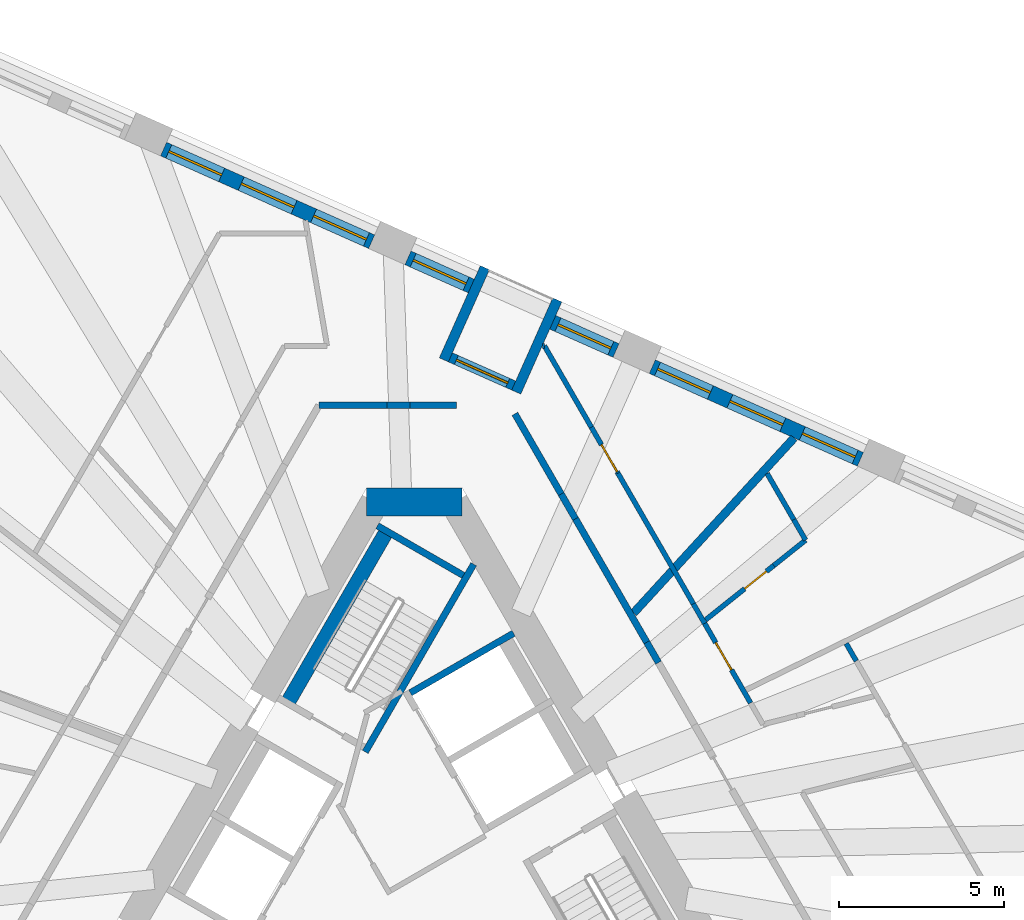
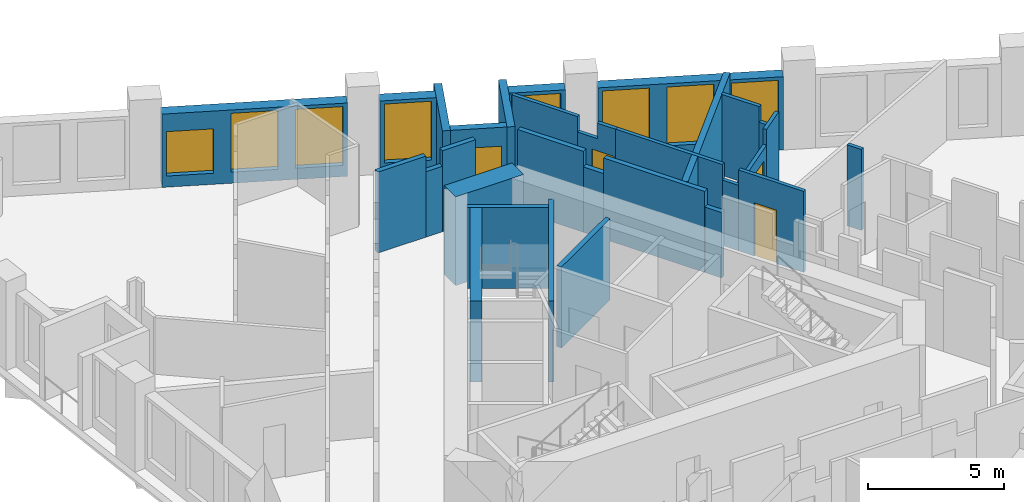
# One storey, part 8 of 14: 31 walls, 8 windows, 4 doors, 12 openings.
"""IFC4 building model written with IfcOpenShell, lengths in metres."""

from ifc_helpers import new_model, si_unit, direction, frame, frame_2d, origin, place, context, subcontext, project, spatial, polyline, rectangle, outline, extrude, material, layer, layer_set, type_object, element, fill, save


model = new_model("IFC4")

# Units and contexts
model_context = context("Model", 3, precision=1e-05, world=origin(), true_north=direction((0.0, 1.0)))
body_context = subcontext(model_context, "Body", "Model", "MODEL_VIEW")
ifc_project = project(units=[si_unit("LENGTHUNIT", "METRE"), si_unit("AREAUNIT", "SQUARE_METRE"), si_unit("VOLUMEUNIT", "CUBIC_METRE"), si_unit("PLANEANGLEUNIT", "RADIAN"), si_unit("MASSUNIT", "GRAM", prefix="KILO")], contexts=[model_context])

# Site, building, storey
site_placement = place(None, origin())
site = spatial("IfcSite", under=ifc_project, at=site_placement, CompositionType="ELEMENT")
building_placement = place(site_placement, origin())
building = spatial("IfcBuilding", under=site, at=building_placement, Name="Tramontana Tower", CompositionType="ELEMENT")
storey_placement = place(building_placement, frame((0.0, 0.0, 186.800048828125)))
storey = spatial("IfcBuildingStorey", under=building, at=storey_placement, Name="L43", CompositionType="ELEMENT", Elevation=186.800048828125)

# Walls
ifc_material_1 = material(Name="Concrete 70 MPa", Category="concrete")
ifc_layer_1 = layer(ifc_material_1, 0.85009765625)
ifc_layer_set_1 = layer_set([ifc_layer_1], Name="Core wall 850 70 MPa")
wall_type_1 = type_object("IfcWallType", Name="Core wall 850 70 MPa", PredefinedType="SHEAR", material=ifc_layer_set_1)
wall_1_placement = place(storey_placement, frame((1.443359375, 10.574951171875, 0.0), z_axis=(0.0, 0.0, 1.0), x_axis=(-1.0, 0.0, 0.0)))
element("IfcWall", 1, at=wall_1_placement, inside=storey, type_object=wall_type_1, Name="Core wall C0 L43", PredefinedType="SHEAR", context=body_context, shape_type="SweptSolid", body=[
    extrude(rectangle(XDim=2.88671875, YDim=0.85009765625, at=frame_2d((1.443359375, 0.0))), origin(), (0.0, 0.0, 1.0), 4.0),
])
ifc_material_2 = material(Name="Blockwork", Category="masonry")
ifc_layer_2 = layer(ifc_material_2, 0.199951171875)
ifc_layer_set_2 = layer_set([ifc_layer_2], Name="ENTRY WALL 200")
wall_type_2 = type_object("IfcWallType", Name="ENTRY WALL 200", PredefinedType="SOLIDWALL", material=ifc_layer_set_2)
wall_2_placement = place(storey_placement, frame((3.034912109375, 13.243408203125, 0.0), z_axis=(0.0, 0.0, 1.0), x_axis=(0.499976698542, -0.86603885647, 0.0)))
element("IfcWall", 2, at=wall_2_placement, inside=storey, type_object=wall_type_2, Name="Wall v42-ew0-0", PredefinedType="SOLIDWALL", context=body_context, shape_type="SweptSolid", body=[
    extrude(rectangle(XDim=2.798583984375, YDim=0.199951171875, at=frame_2d((1.3994140625, 0.0))), origin(), (0.0, 0.0, 1.0), 3.64990234375),
])
wall_3_placement = place(storey_placement, frame((4.43408203125, 10.81982421875, 0.0), z_axis=(0.0, 0.0, 1.0), x_axis=(0.500023708017, -0.866011715522, 0.0)))
element("IfcWall", 3, at=wall_3_placement, inside=storey, type_object=wall_type_2, Name="Wall v42-ew0-1", PredefinedType="SOLIDWALL", context=body_context, shape_type="SweptSolid", body=[
    extrude(rectangle(XDim=0.865234375, YDim=0.199951171875, at=frame_2d((0.4326171875, 0.0))), origin(), (0.0, 0.0, 1.0), 2.949951171875),
])
wall_4_placement = place(storey_placement, frame((4.86669921875, 10.070556640625, 0.0), z_axis=(0.0, 0.0, 1.0), x_axis=(0.499992344383, -0.866029823712, 0.0)))
element("IfcWall", 4, at=wall_4_placement, inside=storey, type_object=wall_type_2, Name="Wall v42-ew0-2", PredefinedType="SOLIDWALL", context=body_context, shape_type="SweptSolid", body=[
    extrude(rectangle(XDim=4.306640625, YDim=0.199951171875, at=frame_2d((2.1533203125, 0.0))), origin(), (0.0, 0.0, 1.0), 3.64990234375),
])
wall_5_placement = place(storey_placement, frame((7.02001953125, 6.3408203125, 0.0), z_axis=(0.0, 0.0, 1.0), x_axis=(0.50012879774, -0.865951029603, 0.0)))
element("IfcWall", 5, at=wall_5_placement, inside=storey, type_object=wall_type_2, Name="Wall v42-ew0-3", PredefinedType="SOLIDWALL", context=body_context, shape_type="SweptSolid", body=[
    extrude(rectangle(XDim=0.710693359375, YDim=0.199951171875, at=frame_2d((0.35546875, 0.0))), origin(), (0.0, 0.0, 1.0), 2.949951171875),
])
wall_6_placement = place(storey_placement, frame((-2.88671875, 13.5, 0.0), z_axis=(0.0, 0.0, 1.0), x_axis=(1.0, 0.0, 0.0)))
element("IfcWall", 6, at=wall_6_placement, inside=storey, type_object=wall_type_2, Name="Wall v42-ew5-0", PredefinedType="SOLIDWALL", context=body_context, shape_type="SweptSolid", body=[
    extrude(rectangle(XDim=2.057861328125, YDim=0.199951171875, at=frame_2d((1.02880859375, 0.0))), origin(), (0.0, 0.0, 1.0), 3.64990234375),
])
wall_7_placement = place(storey_placement, frame((-0.828857421875, 13.5, 0.0), z_axis=(0.0, 0.0, 1.0), x_axis=(1.0, 0.0, 0.0)))
element("IfcWall", 7, at=wall_7_placement, inside=storey, type_object=wall_type_2, Name="Wall v42-ew5-1", PredefinedType="SOLIDWALL", context=body_context, shape_type="SweptSolid", body=[
    extrude(rectangle(XDim=0.700439453125, YDim=0.199951171875, at=frame_2d((0.35009765625, 0.0))), origin(), (0.0, 0.0, 1.0), 2.949951171875),
])
wall_8_placement = place(storey_placement, frame((-0.12841796875, 13.5, 0.0), z_axis=(0.0, 0.0, 1.0), x_axis=(1.0, 0.0, 0.0)))
element("IfcWall", 8, at=wall_8_placement, inside=storey, type_object=wall_type_2, Name="Wall v42-ew5-2", PredefinedType="SOLIDWALL", context=body_context, shape_type="SweptSolid", body=[
    extrude(rectangle(XDim=1.39990234375, YDim=0.199951171875, at=frame_2d((0.699951171875, 0.0))), origin(), (0.0, 0.0, 1.0), 3.64990234375),
])

# Wall, openings, windows
ifc_material_3 = material(Name="Precast concrete 60 MPa", Category="concrete")
ifc_layer_3 = layer(ifc_material_3, 0.449951171875)
ifc_layer_set_3 = layer_set([ifc_layer_3], Name="Precast concrete 60 MPa, 450 mm")
wall_type_3 = type_object("IfcWallType", Name="EW1 Stone-faced precast wall 450", PredefinedType="SOLIDWALL", material=ifc_layer_set_3)
wall_9_placement = place(storey_placement, frame((13.475830078125, 11.8701171875, 0.0), z_axis=(0.0, 0.0, 1.0), x_axis=(-0.913543675585, 0.40674064562, 0.0)))
wall_9 = element("IfcWall", 9, at=wall_9_placement, inside=storey, type_object=wall_type_3, Name="External wall L43 face 2 bay 3", PredefinedType="SOLIDWALL", context=body_context, shape_type="SweptSolid", body=[
    extrude(rectangle(XDim=6.8828125, YDim=0.449951171875, at=frame_2d((3.44140625, 0.0))), origin(), (0.0, 0.0, 1.0), 3.300048828125),
])
opening_1_placement = place(wall_9_placement, frame((0.172119140625, 0.0, 0.5)))
opening_1 = element("IfcOpeningElement", 10, at=opening_1_placement, cuts=wall_9, Name="Opening M2", PredefinedType="OPENING", context=body_context, shape_type="SweptSolid", body=[
    extrude(rectangle(XDim=1.75, YDim=2.64990234375, at=frame_2d((0.875, 1.324951171875))), frame((0.0, 0.23486328125, 0.0), z_axis=(0.0, -1.0, 0.0), x_axis=(1.0, 0.0, 0.0)), (0.0, 0.0, 1.0), 0.469970703125),
])
opening_2_placement = place(wall_9_placement, frame((2.56640625, 0.0, 0.5)))
opening_2 = element("IfcOpeningElement", 11, at=opening_2_placement, cuts=wall_9, Name="Opening M2", PredefinedType="OPENING", context=body_context, shape_type="SweptSolid", body=[
    extrude(rectangle(XDim=1.75, YDim=2.64990234375, at=frame_2d((0.875, 1.324951171875))), frame((0.0, 0.23486328125, 0.0), z_axis=(0.0, -1.0, 0.0), x_axis=(1.0, 0.0, 0.0)), (0.0, 0.0, 1.0), 0.469970703125),
])
opening_3_placement = place(wall_9_placement, frame((4.960693359375, 0.0, 0.5)))
opening_3 = element("IfcOpeningElement", 12, at=opening_3_placement, cuts=wall_9, Name="Opening M2", PredefinedType="OPENING", context=body_context, shape_type="SweptSolid", body=[
    extrude(rectangle(XDim=1.75, YDim=2.64990234375, at=frame_2d((0.875, 1.324951171875))), frame((0.0, 0.23486328125, 0.0), z_axis=(0.0, -1.0, 0.0), x_axis=(1.0, 0.0, 0.0)), (0.0, 0.0, 1.0), 0.469970703125),
])
ifc_material_4 = material(Name="Aluminum frame, double glazing unit", Category="aluminium")
window_type_1 = type_object("IfcWindowType", Name="M2 Window 1.75 x 2.65", PartitioningType="SINGLE_PANEL", PredefinedType="WINDOW", material=ifc_material_4)
window_1_placement = place(opening_1_placement, origin())
window_1 = element("IfcWindow", 13, at=window_1_placement, inside=storey, type_object=window_type_1, Name="Window M2 L43 face 2 module 7", OverallHeight=2.64990234375, OverallWidth=1.75, PartitioningType="SINGLE_PANEL", PredefinedType="WINDOW", context=body_context, shape_type="SweptSolid", body=[
    extrude(rectangle(XDim=1.75, YDim=2.64990234375, at=frame_2d((0.875, 1.324951171875))), frame((0.0, 0.030029296875, 0.0), z_axis=(0.0, -1.0, 0.0), x_axis=(1.0, 0.0, 0.0)), (0.0, 0.0, 1.0), 0.06005859375),
])
fill(opening_1, window_1)
window_2_placement = place(opening_2_placement, origin())
window_2 = element("IfcWindow", 14, at=window_2_placement, inside=storey, type_object=window_type_1, Name="Window M2 L43 face 2 module 8", OverallHeight=2.64990234375, OverallWidth=1.75, PartitioningType="SINGLE_PANEL", PredefinedType="WINDOW", context=body_context, shape_type="SweptSolid", body=[
    extrude(rectangle(XDim=1.75, YDim=2.64990234375, at=frame_2d((0.875, 1.324951171875))), frame((0.0, 0.030029296875, 0.0), z_axis=(0.0, -1.0, 0.0), x_axis=(1.0, 0.0, 0.0)), (0.0, 0.0, 1.0), 0.06005859375),
])
fill(opening_2, window_2)
window_3_placement = place(opening_3_placement, origin())
window_3 = element("IfcWindow", 15, at=window_3_placement, inside=storey, type_object=window_type_1, Name="Window M2 L43 face 2 module 9", OverallHeight=2.64990234375, OverallWidth=1.75, PartitioningType="SINGLE_PANEL", PredefinedType="WINDOW", context=body_context, shape_type="SweptSolid", body=[
    extrude(rectangle(XDim=1.75, YDim=2.64990234375, at=frame_2d((0.875, 1.324951171875))), frame((0.0, 0.030029296875, 0.0), z_axis=(0.0, -1.0, 0.0), x_axis=(1.0, 0.0, 0.0)), (0.0, 0.0, 1.0), 0.06005859375),
])
fill(opening_3, window_3)

# Wall, opening, window
wall_10_placement = place(storey_placement, frame((6.091796875, 15.15771484375, 0.0), z_axis=(0.0, 0.0, 1.0), x_axis=(-0.913537312596, 0.406754936657, 0.0)))
wall_10 = element("IfcWall", 16, at=wall_10_placement, inside=storey, type_object=wall_type_3, Name="External wall L43 face 2 bay 4", PredefinedType="SOLIDWALL", context=body_context, shape_type="SweptSolid", body=[
    extrude(rectangle(XDim=2.09423828125, YDim=0.449951171875, at=frame_2d((1.047119140625, 0.0))), origin(), (0.0, 0.0, 1.0), 3.300048828125),
])
opening_4_placement = place(wall_10_placement, frame((0.172119140625, 0.0, 0.5)))
opening_4 = element("IfcOpeningElement", 17, at=opening_4_placement, cuts=wall_10, Name="Opening M2", PredefinedType="OPENING", context=body_context, shape_type="SweptSolid", body=[
    extrude(rectangle(XDim=1.75, YDim=2.64990234375, at=frame_2d((0.875, 1.324951171875))), frame((0.0, 0.23486328125, 0.0), z_axis=(0.0, -1.0, 0.0), x_axis=(1.0, 0.0, 0.0)), (0.0, 0.0, 1.0), 0.469970703125),
])
window_4_placement = place(opening_4_placement, origin())
window_4 = element("IfcWindow", 18, at=window_4_placement, inside=storey, type_object=window_type_1, Name="Window M2 L43 face 2 module 10", OverallHeight=2.64990234375, OverallWidth=1.75, PartitioningType="SINGLE_PANEL", PredefinedType="WINDOW", context=body_context, shape_type="SweptSolid", body=[
    extrude(rectangle(XDim=1.75, YDim=2.64990234375, at=frame_2d((0.875, 1.324951171875))), frame((0.0, 0.030029296875, 0.0), z_axis=(0.0, -1.0, 0.0), x_axis=(1.0, 0.0, 0.0)), (0.0, 0.0, 1.0), 0.06005859375),
])
fill(opening_4, window_4)

wall_11_placement = place(storey_placement, frame((1.71728515625, 17.10546875, 0.0), z_axis=(0.0, 0.0, 1.0), x_axis=(-0.913556597974, 0.40671162056, 0.0)))
wall_11 = element("IfcWall", 19, at=wall_11_placement, inside=storey, type_object=wall_type_3, Name="External wall L43 face 2 bay 4", PredefinedType="SOLIDWALL", context=body_context, shape_type="SweptSolid", body=[
    extrude(rectangle(XDim=2.094482421875, YDim=0.449951171875, at=frame_2d((1.04736328125, 0.0))), origin(), (0.0, 0.0, 1.0), 3.300048828125),
])
opening_5_placement = place(wall_11_placement, frame((0.172119140625, 0.0, 0.5)))
opening_5 = element("IfcOpeningElement", 20, at=opening_5_placement, cuts=wall_11, Name="Opening M2", PredefinedType="OPENING", context=body_context, shape_type="SweptSolid", body=[
    extrude(rectangle(XDim=1.75, YDim=2.64990234375, at=frame_2d((0.875, 1.324951171875))), frame((0.0, 0.23486328125, 0.0), z_axis=(0.0, -1.0, 0.0), x_axis=(1.0, 0.0, 0.0)), (0.0, 0.0, 1.0), 0.469970703125),
])
window_5_placement = place(opening_5_placement, origin())
window_5 = element("IfcWindow", 21, at=window_5_placement, inside=storey, type_object=window_type_1, Name="Window M2 L43 face 2 module 12", OverallHeight=2.64990234375, OverallWidth=1.75, PartitioningType="SINGLE_PANEL", PredefinedType="WINDOW", context=body_context, shape_type="SweptSolid", body=[
    extrude(rectangle(XDim=1.75, YDim=2.64990234375, at=frame_2d((0.875, 1.324951171875))), frame((0.0, 0.030029296875, 0.0), z_axis=(0.0, -1.0, 0.0), x_axis=(1.0, 0.0, 0.0)), (0.0, 0.0, 1.0), 0.06005859375),
])
fill(opening_5, window_5)

# Wall, openings, windows
wall_12_placement = place(storey_placement, frame((-1.292236328125, 18.4453125, 0.0), z_axis=(0.0, 0.0, 1.0), x_axis=(-0.913543675585, 0.40674064562, 0.0)))
wall_12 = element("IfcWall", 22, at=wall_12_placement, inside=storey, type_object=wall_type_3, Name="External wall L43 face 2 bay 5", PredefinedType="SOLIDWALL", context=body_context, shape_type="SweptSolid", body=[
    extrude(rectangle(XDim=6.8828125, YDim=0.449951171875, at=frame_2d((3.44140625, 0.0))), origin(), (0.0, 0.0, 1.0), 3.300048828125),
])
opening_6_placement = place(wall_12_placement, frame((0.172119140625, 0.0, 0.5)))
opening_6 = element("IfcOpeningElement", 23, at=opening_6_placement, cuts=wall_12, Name="Opening M2", PredefinedType="OPENING", context=body_context, shape_type="SweptSolid", body=[
    extrude(rectangle(XDim=1.75, YDim=2.64990234375, at=frame_2d((0.875, 1.324951171875))), frame((0.0, 0.23486328125, 0.0), z_axis=(0.0, -1.0, 0.0), x_axis=(1.0, 0.0, 0.0)), (0.0, 0.0, 1.0), 0.469970703125),
])
opening_7_placement = place(wall_12_placement, frame((2.56640625, 0.0, 0.5)))
opening_7 = element("IfcOpeningElement", 24, at=opening_7_placement, cuts=wall_12, Name="Opening M2", PredefinedType="OPENING", context=body_context, shape_type="SweptSolid", body=[
    extrude(rectangle(XDim=1.75, YDim=2.64990234375, at=frame_2d((0.875, 1.324951171875))), frame((0.0, 0.23486328125, 0.0), z_axis=(0.0, -1.0, 0.0), x_axis=(1.0, 0.0, 0.0)), (0.0, 0.0, 1.0), 0.469970703125),
])
opening_8_placement = place(wall_12_placement, frame((4.960693359375, 0.0, 0.5)))
opening_8 = element("IfcOpeningElement", 25, at=opening_8_placement, cuts=wall_12, Name="Opening M2L", PredefinedType="OPENING", context=body_context, shape_type="SweptSolid", body=[
    extrude(rectangle(XDim=1.75, YDim=2.0, at=frame_2d((0.875, 1.0))), frame((0.0, 0.23486328125, 0.0), z_axis=(0.0, -1.0, 0.0), x_axis=(1.0, 0.0, 0.0)), (0.0, 0.0, 1.0), 0.469970703125),
])
window_6_placement = place(opening_6_placement, origin())
window_6 = element("IfcWindow", 26, at=window_6_placement, inside=storey, type_object=window_type_1, Name="Window M2 L43 face 2 module 13", OverallHeight=2.64990234375, OverallWidth=1.75, PartitioningType="SINGLE_PANEL", PredefinedType="WINDOW", context=body_context, shape_type="SweptSolid", body=[
    extrude(rectangle(XDim=1.75, YDim=2.64990234375, at=frame_2d((0.875, 1.324951171875))), frame((0.0, 0.030029296875, 0.0), z_axis=(0.0, -1.0, 0.0), x_axis=(1.0, 0.0, 0.0)), (0.0, 0.0, 1.0), 0.06005859375),
])
fill(opening_6, window_6)
window_7_placement = place(opening_7_placement, origin())
window_7 = element("IfcWindow", 27, at=window_7_placement, inside=storey, type_object=window_type_1, Name="Window M2 L43 face 2 module 14", OverallHeight=2.64990234375, OverallWidth=1.75, PartitioningType="SINGLE_PANEL", PredefinedType="WINDOW", context=body_context, shape_type="SweptSolid", body=[
    extrude(rectangle(XDim=1.75, YDim=2.64990234375, at=frame_2d((0.875, 1.324951171875))), frame((0.0, 0.030029296875, 0.0), z_axis=(0.0, -1.0, 0.0), x_axis=(1.0, 0.0, 0.0)), (0.0, 0.0, 1.0), 0.06005859375),
])
fill(opening_7, window_7)
ifc_material_5 = material(Name="Aluminum frame, double glazing unit", Category="aluminium")
window_type_2 = type_object("IfcWindowType", Name="M2L Window 1.75 x 2", PartitioningType="SINGLE_PANEL", PredefinedType="WINDOW", material=ifc_material_5)
window_8_placement = place(opening_8_placement, origin())
window_8 = element("IfcWindow", 28, at=window_8_placement, inside=storey, type_object=window_type_2, Name="Window M2L L43 face 2 module 15", OverallHeight=2.0, OverallWidth=1.75, PartitioningType="SINGLE_PANEL", PredefinedType="WINDOW", context=body_context, shape_type="SweptSolid", body=[
    extrude(rectangle(XDim=1.75, YDim=2.0, at=frame_2d((0.875, 1.0))), frame((0.0, 0.030029296875, 0.0), z_axis=(0.0, -1.0, 0.0), x_axis=(1.0, 0.0, 0.0)), (0.0, 0.0, 1.0), 0.06005859375),
])
fill(opening_8, window_8)

# Wall, opening, door
ifc_material_6 = material(Name="Precast concrete 60 MPa", Category="concrete")
ifc_layer_4 = layer(ifc_material_6, 0.300048828125)
ifc_layer_set_4 = layer_set([ifc_layer_4], Name="LW1 Stone-faced loggia wall 300")
wall_type_4 = type_object("IfcWallType", Name="LW1 Stone-faced loggia wall 300", PredefinedType="SOLIDWALL", material=ifc_layer_set_4)
wall_13_placement = place(storey_placement, frame((2.99951171875, 14.098876953125, 0.0), z_axis=(0.0, 0.0, 1.0), x_axis=(-0.913537312596, 0.406754936657, 0.0)))
wall_13 = element("IfcWall", 29, at=wall_13_placement, inside=storey, type_object=wall_type_4, Name="Loggia wall L43 G4S2.10", PredefinedType="SOLIDWALL", context=body_context, shape_type="SweptSolid", body=[
    extrude(rectangle(XDim=2.09423828125, YDim=0.300048828125, at=frame_2d((1.047119140625, 0.0))), origin(), (0.0, 0.0, 1.0), 3.300048828125),
])
opening_9_placement = place(wall_13_placement, frame((0.197265625, 0.0, 0.0)))
opening_9 = element("IfcOpeningElement", 30, at=opening_9_placement, cuts=wall_13, Name="Opening BD-4S2-10", PredefinedType="OPENING", context=body_context, shape_type="SweptSolid", body=[
    extrude(rectangle(XDim=1.699951171875, YDim=2.449951171875, at=frame_2d((0.85009765625, 1.22509765625))), frame((0.0, 0.159912109375, 0.0), z_axis=(0.0, -1.0, 0.0), x_axis=(1.0, 0.0, 0.0)), (0.0, 0.0, 1.0), 0.320068359375),
])
ifc_material_7 = material(Name="Aluminum frame, double glazing unit", Category="aluminium")
door_type_1 = type_object("IfcDoorType", Name="BD2 Sliding door 1.7 x 2.45", OperationType="SLIDING_TO_LEFT", PredefinedType="DOOR", material=ifc_material_7)
door_1_placement = place(opening_9_placement, origin())
door_1 = element("IfcDoor", 31, at=door_1_placement, inside=storey, type_object=door_type_1, Name="Loggia door L43 G4S2.10", OperationType="SLIDING_TO_LEFT", OverallHeight=2.449951171875, OverallWidth=1.699951171875, PredefinedType="DOOR", context=body_context, shape_type="SweptSolid", body=[
    extrude(rectangle(XDim=1.699951171875, YDim=2.449951171875, at=frame_2d((0.85009765625, 1.22509765625))), frame((0.0, 0.02490234375, 0.0), z_axis=(0.0, -1.0, 0.0), x_axis=(1.0, 0.0, 0.0)), (0.0, 0.0, 1.0), 0.050048828125),
])
fill(opening_9, door_1)

# Walls
wall_14_placement = place(storey_placement, frame((4.316162109375, 16.687255859375, 0.0), z_axis=(0.0, 0.0, 1.0), x_axis=(-0.406710256677, -0.913557205168, 0.0)))
element("IfcWall", 32, at=wall_14_placement, inside=storey, type_object=wall_type_4, Name="Loggia return L43 G4S2.10a", PredefinedType="SOLIDWALL", context=body_context, shape_type="SweptSolid", body=[
    extrude(rectangle(XDim=3.050048828125, YDim=0.300048828125, at=frame_2d((1.52490234375, 0.0))), origin(), (0.0, 0.0, 1.0), 3.300048828125),
])
wall_15_placement = place(storey_placement, frame((2.12890625, 17.660888671875, 0.0), z_axis=(0.0, 0.0, 1.0), x_axis=(-0.406806804169, -0.913514216683, 0.0)))
element("IfcWall", 33, at=wall_15_placement, inside=storey, type_object=wall_type_4, Name="Loggia return L43 G4S2.10b", PredefinedType="SOLIDWALL", context=body_context, shape_type="SweptSolid", body=[
    extrude(rectangle(XDim=3.0498046875, YDim=0.300048828125, at=frame_2d((1.52490234375, 0.0))), origin(), (0.0, 0.0, 1.0), 3.300048828125),
])
ifc_material_8 = material(Name="Gypsum board partition")
ifc_layer_5 = layer(ifc_material_8, 0.14990234375)
ifc_layer_set_5 = layer_set([ifc_layer_5], Name="PARTITION 150")
wall_type_5 = type_object("IfcWallType", Name="PARTITION 150", PredefinedType="PARTITIONING", material=ifc_layer_set_5)
wall_16_placement = place(storey_placement, frame((3.86279296875, 15.300048828125, 0.0), z_axis=(0.0, 0.0, 1.0), x_axis=(1.0, 0.0, 0.0)))
element("IfcWall", 34, at=wall_16_placement, inside=storey, type_object=wall_type_5, Name="Wall v42-pw25", PredefinedType="PARTITIONING", context=body_context, shape_type="SweptSolid", body=[
    extrude(rectangle(XDim=0.063232421875, YDim=0.14990234375, at=frame_2d((0.03173828125, 0.0))), origin(), (0.0, 0.0, 1.0), 3.64990234375),
])
wall_17_placement = place(storey_placement, frame((3.926025390625, 15.300048828125, 0.0), z_axis=(0.0, 0.0, 1.0), x_axis=(0.50001992892, -0.866013897511, 0.0)))
element("IfcWall", 35, at=wall_17_placement, inside=storey, type_object=wall_type_5, Name="Wall v42-pw26-0", PredefinedType="PARTITIONING", context=body_context, shape_type="SweptSolid", body=[
    extrude(rectangle(XDim=2.841796875, YDim=0.14990234375, at=frame_2d((1.4208984375, 0.0))), origin(), (0.0, 0.0, 1.0), 3.64990234375),
])

# Wall, opening, door
wall_18_placement = place(storey_placement, frame((5.346923828125, 12.839111328125, 0.0), z_axis=(0.0, 0.0, 1.0), x_axis=(0.499981246758, -0.866036230703, 0.0)))
wall_18 = element("IfcWall", 36, at=wall_18_placement, inside=storey, type_object=wall_type_5, Name="Wall v42-pw26-1", PredefinedType="PARTITIONING", context=body_context, shape_type="SweptSolid", body=[
    extrude(outline(polyline([(0.0, 0.0), (1.60595703125, 0.0), (1.60595703125, 3.64990234375), (0.834228515625, 3.64990234375), (0.834228515625, 2.949951171875), (0.0, 2.949951171875), (0.0, 0.0)])), frame((0.0, 0.074951171875, 0.0), z_axis=(0.0, -1.0, 0.0), x_axis=(1.0, 0.0, 0.0)), (0.0, 0.0, 1.0), 0.14990234375),
])
opening_10_placement = place(wall_18_placement, frame((0.60595703125, 0.0, 0.0)))
opening_10 = element("IfcOpeningElement", 37, at=opening_10_placement, cuts=wall_18, Name="Opening B4C-03", PredefinedType="OPENING", context=body_context, shape_type="SweptSolid", body=[
    extrude(rectangle(XDim=0.949951171875, YDim=2.39990234375, at=frame_2d((0.47509765625, 1.199951171875))), frame((0.0, 0.0849609375, 0.0), z_axis=(0.0, -1.0, 0.0), x_axis=(1.0, 0.0, 0.0)), (0.0, 0.0, 1.0), 0.169921875),
])
ifc_material_9 = material(Name="Painted timber", Category="wood")
door_type_2 = type_object("IfcDoorType", Name="DOOR ROOM 950", OperationType="SINGLE_SWING_LEFT", PredefinedType="DOOR", material=ifc_material_9)
door_2_placement = place(opening_10_placement, origin())
door_2 = element("IfcDoor", 38, at=door_2_placement, inside=storey, type_object=door_type_2, Name="Door B4C-03", OperationType="SINGLE_SWING_LEFT", OverallHeight=2.39990234375, OverallWidth=0.949951171875, PredefinedType="DOOR", context=body_context, shape_type="SweptSolid", body=[
    extrude(rectangle(XDim=0.949951171875, YDim=2.39990234375, at=frame_2d((0.47509765625, 1.199951171875))), frame((0.0, 0.02490234375, 0.0), z_axis=(0.0, -1.0, 0.0), x_axis=(1.0, 0.0, 0.0)), (0.0, 0.0, 1.0), 0.050048828125),
])
fill(opening_10, door_2)

# Walls
wall_19_placement = place(storey_placement, frame((6.14990234375, 11.4482421875, 0.0), z_axis=(0.0, 0.0, 1.0), x_axis=(0.499973025134, -0.86604097717, 0.0)))
element("IfcWall", 39, at=wall_19_placement, inside=storey, type_object=wall_type_5, Name="Wall v42-pw26-2", PredefinedType="PARTITIONING", context=body_context, shape_type="SweptSolid", body=[
    extrude(rectangle(XDim=4.554443359375, YDim=0.14990234375, at=frame_2d((2.27734375, 0.0))), origin(), (0.0, 0.0, 1.0), 3.64990234375),
])
wall_20_placement = place(storey_placement, frame((8.427001953125, 7.50390625, 0.0), z_axis=(0.0, 0.0, 1.0), x_axis=(0.50012328804, -0.865954211699, 0.0)))
element("IfcWall", 40, at=wall_20_placement, inside=storey, type_object=wall_type_5, Name="Wall v42-pw26-3", PredefinedType="PARTITIONING", context=body_context, shape_type="SweptSolid", body=[
    extrude(rectangle(XDim=0.685302734375, YDim=0.14990234375, at=frame_2d((0.3427734375, 0.0))), origin(), (0.0, 0.0, 1.0), 2.949951171875),
])

# Wall, opening, door
wall_21_placement = place(storey_placement, frame((8.769775390625, 6.910400390625, 0.0), z_axis=(0.0, 0.0, 1.0), x_axis=(0.50000932403, -0.866020020486, 0.0)))
wall_21 = element("IfcWall", 41, at=wall_21_placement, inside=storey, type_object=wall_type_5, Name="Wall v42-pw26-4", PredefinedType="PARTITIONING", context=body_context, shape_type="SweptSolid", body=[
    extrude(rectangle(XDim=2.77490234375, YDim=0.14990234375, at=frame_2d((1.387451171875, 0.0))), origin(), (0.0, 0.0, 1.0), 3.64990234375),
])
opening_11_placement = place(wall_21_placement, frame((0.669921875, 0.0, 0.0)))
opening_11 = element("IfcOpeningElement", 42, at=opening_11_placement, cuts=wall_21, Name="Opening B4C-16", PredefinedType="OPENING", context=body_context, shape_type="SweptSolid", body=[
    extrude(rectangle(XDim=0.949951171875, YDim=2.39990234375, at=frame_2d((0.47509765625, 1.199951171875))), frame((0.0, 0.0849609375, 0.0), z_axis=(0.0, -1.0, 0.0), x_axis=(1.0, 0.0, 0.0)), (0.0, 0.0, 1.0), 0.169921875),
])
door_3_placement = place(opening_11_placement, origin())
door_3 = element("IfcDoor", 43, at=door_3_placement, inside=storey, type_object=door_type_2, Name="Door B4C-16", OperationType="SINGLE_SWING_RIGHT", OverallHeight=2.39990234375, OverallWidth=0.949951171875, PredefinedType="DOOR", context=body_context, shape_type="SweptSolid", body=[
    extrude(rectangle(XDim=0.949951171875, YDim=2.39990234375, at=frame_2d((0.47509765625, 1.199951171875))), frame((0.0, 0.02490234375, 0.0), z_axis=(0.0, -1.0, 0.0), x_axis=(1.0, 0.0, 0.0)), (0.0, 0.0, 1.0), 0.050048828125),
])
fill(opening_11, door_3)

# Walls
wall_22_placement = place(storey_placement, frame((10.656494140625, 11.4423828125, 0.0), z_axis=(0.0, 0.0, 1.0), x_axis=(0.500067972854, -0.865986156082, 0.0)))
element("IfcWall", 44, at=wall_22_placement, inside=storey, type_object=wall_type_5, Name="Wall v42-pw30-0", PredefinedType="PARTITIONING", context=body_context, shape_type="SweptSolid", body=[
    extrude(rectangle(XDim=1.610595703125, YDim=0.14990234375, at=frame_2d((0.80517578125, 0.0))), origin(), (0.0, 0.0, 1.0), 3.64990234375),
])
wall_23_placement = place(storey_placement, frame((11.4619140625, 10.047607421875, 0.0), z_axis=(0.0, 0.0, 1.0), x_axis=(0.499771673925, -0.866157187779, 0.0)))
element("IfcWall", 45, at=wall_23_placement, inside=storey, type_object=wall_type_5, Name="Wall v42-pw30-1", PredefinedType="PARTITIONING", context=body_context, shape_type="SweptSolid", body=[
    extrude(rectangle(XDim=0.715576171875, YDim=0.14990234375, at=frame_2d((0.35791015625, 0.0))), origin(), (0.0, 0.0, 1.0), 2.949951171875),
])
wall_24_placement = place(storey_placement, frame((11.819580078125, 9.427734375, 0.0), z_axis=(0.0, 0.0, 1.0), x_axis=(-0.781779431306, -0.623555066363, 0.0)))
element("IfcWall", 46, at=wall_24_placement, inside=storey, type_object=wall_type_5, Name="Wall v42-pw35-0", PredefinedType="PARTITIONING", context=body_context, shape_type="SweptSolid", body=[
    extrude(rectangle(XDim=1.228271484375, YDim=0.14990234375, at=frame_2d((0.6142578125, 0.0))), origin(), (0.0, 0.0, 1.0), 3.64990234375),
])

# Wall, opening, door
wall_25_placement = place(storey_placement, frame((8.795654296875, 7.015625, 0.0), z_axis=(0.0, 0.0, 1.0), x_axis=(0.781743230662, 0.623600450059, 0.0)))
wall_25 = element("IfcWall", 47, at=wall_25_placement, inside=storey, type_object=wall_type_5, Name="Wall v42-pw35-1", PredefinedType="PARTITIONING", context=body_context, shape_type="SweptSolid", body=[
    extrude(rectangle(XDim=2.639892578125, YDim=0.14990234375, at=frame_2d((1.31982421875, 0.0))), origin(), (0.0, 0.0, 1.0), 2.949951171875),
])
opening_12_placement = place(wall_25_placement, frame((1.509033203125, 0.0, 0.0)))
opening_12 = element("IfcOpeningElement", 48, at=opening_12_placement, cuts=wall_25, Name="Opening B4C-17", PredefinedType="OPENING", context=body_context, shape_type="SweptSolid", body=[
    extrude(rectangle(XDim=0.85009765625, YDim=2.39990234375, at=frame_2d((0.425048828125, 1.199951171875))), frame((0.0, 0.0849609375, 0.0), z_axis=(0.0, -1.0, 0.0), x_axis=(1.0, 0.0, 0.0)), (0.0, 0.0, 1.0), 0.169921875),
])
ifc_material_10 = material(Name="Painted timber", Category="wood")
door_type_3 = type_object("IfcDoorType", Name="DOOR BATH 850", OperationType="SINGLE_SWING_LEFT", PredefinedType="DOOR", material=ifc_material_10)
door_4_placement = place(opening_12_placement, origin())
door_4 = element("IfcDoor", 49, at=door_4_placement, inside=storey, type_object=door_type_3, Name="Door B4C-17", OperationType="SINGLE_SWING_LEFT", OverallHeight=2.39990234375, OverallWidth=0.85009765625, PredefinedType="DOOR", context=body_context, shape_type="SweptSolid", body=[
    extrude(rectangle(XDim=0.85009765625, YDim=2.39990234375, at=frame_2d((0.425048828125, 1.199951171875))), frame((0.0, 0.02490234375, 0.0), z_axis=(0.0, -1.0, 0.0), x_axis=(1.0, 0.0, 0.0)), (0.0, 0.0, 1.0), 0.050048828125),
])
fill(opening_12, door_4)

# Walls
wall_26_placement = place(storey_placement, frame((13.046875, 6.30224609375, 0.0), z_axis=(0.0, 0.0, 1.0), x_axis=(0.500116839517, -0.865957935948, 0.0)))
element("IfcWall", 50, at=wall_26_placement, inside=storey, type_object=wall_type_5, Name="Wall v42-pw37-0", PredefinedType="PARTITIONING", context=body_context, shape_type="SweptSolid", body=[
    extrude(rectangle(XDim=0.607177734375, YDim=0.14990234375, at=frame_2d((0.3037109375, 0.0))), origin(), (0.0, 0.0, 1.0), 3.64990234375),
])
ifc_material_11 = material(Name="Blockwork", Category="masonry")
ifc_layer_6 = layer(ifc_material_11, 0.25)
ifc_layer_set_6 = layer_set([ifc_layer_6], Name="PARTY WALL 250")
wall_type_6 = type_object("IfcWallType", Name="PARTY WALL 250", PredefinedType="SOLIDWALL", material=ifc_layer_set_6)
wall_27_placement = place(storey_placement, frame((11.47119140625, 12.516357421875, 0.0), z_axis=(0.0, 0.0, 1.0), x_axis=(-0.675656823375, -0.737216289176, 0.0)))
element("IfcWall", 51, at=wall_27_placement, inside=storey, type_object=wall_type_6, Name="Wall v42-pw33", PredefinedType="SOLIDWALL", context=body_context, shape_type="SweptSolid", body=[
    extrude(rectangle(XDim=7.17431640625, YDim=0.25, at=frame_2d((3.587158203125, 0.0))), origin(), (0.0, 0.0, 1.0), 3.64990234375),
])
ifc_material_12 = material(Name="Concrete 70 MPa", Category="concrete")
ifc_layer_7 = layer(ifc_material_12, 0.449951171875)
ifc_layer_set_7 = layer_set([ifc_layer_7], Name="Concrete 70 MPa, 450 mm")
wall_type_7 = type_object("IfcWallType", Name="RC SHAFT BACK WALL 450", PredefinedType="SOLIDWALL", material=ifc_layer_set_7)
wall_28_placement = place(storey_placement, frame((-0.7880859375, 9.784912109375, 0.0), z_axis=(0.0, 0.0, 1.0), x_axis=(-0.500009909098, -0.866019682689, 0.0)))
element("IfcWall", 52, at=wall_28_placement, inside=storey, type_object=wall_type_7, Name="Wall st1-back", PredefinedType="SOLIDWALL", context=body_context, shape_type="SweptSolid", body=[
    extrude(rectangle(XDim=6.199951171875, YDim=0.449951171875, at=frame_2d((3.10009765625, 0.0))), origin(), (0.0, 0.0, 1.0), 3.64990234375),
])
ifc_material_13 = material(Name="Concrete 70 MPa", Category="concrete")
ifc_layer_8 = layer(ifc_material_13, 0.199951171875)
ifc_layer_set_8 = layer_set([ifc_layer_8], Name="Concrete 70 MPa, 200 mm")
wall_type_8 = type_object("IfcWallType", Name="RC STAIR AND SHAFT WALL 200", PredefinedType="SOLIDWALL", material=ifc_layer_set_8)
wall_29_placement = place(storey_placement, frame((1.789794921875, 8.699951171875, 0.0), z_axis=(0.0, 0.0, 1.0), x_axis=(-0.499999959354, -0.866025427251, 0.0)))
element("IfcWall", 53, at=wall_29_placement, inside=storey, type_object=wall_type_8, Name="Wall st1-front", PredefinedType="SOLIDWALL", context=body_context, shape_type="SweptSolid", body=[
    extrude(rectangle(XDim=6.54931640625, YDim=0.199951171875, at=frame_2d((3.274658203125, 0.0))), origin(), (0.0, 0.0, 1.0), 3.64990234375),
])
wall_30_placement = place(storey_placement, frame((1.478515625, 8.36083984375, 0.0), z_axis=(0.0, 0.0, 1.0), x_axis=(-0.866031096941, 0.499990139034, 0.0)))
element("IfcWall", 54, at=wall_30_placement, inside=storey, type_object=wall_type_8, Name="Wall st1-far", PredefinedType="SOLIDWALL", context=body_context, shape_type="SweptSolid", body=[
    extrude(rectangle(XDim=3.0, YDim=0.199951171875, at=frame_2d((1.5, 0.0))), origin(), (0.0, 0.0, 1.0), 3.64990234375),
])
wall_31_placement = place(storey_placement, frame((-0.123046875, 4.813232421875, 0.0), z_axis=(0.0, 0.0, 1.0), x_axis=(0.866018442252, 0.500012057535, 0.0)))
element("IfcWall", 55, at=wall_31_placement, inside=storey, type_object=wall_type_8, Name="Wall row2-side2", PredefinedType="SOLIDWALL", context=body_context, shape_type="SweptSolid", body=[
    extrude(rectangle(XDim=3.60009765625, YDim=0.199951171875, at=frame_2d((1.800048828125, 0.0))), origin(), (0.0, 0.0, 1.0), 3.64990234375),
])

save(model, "model.ifc")
